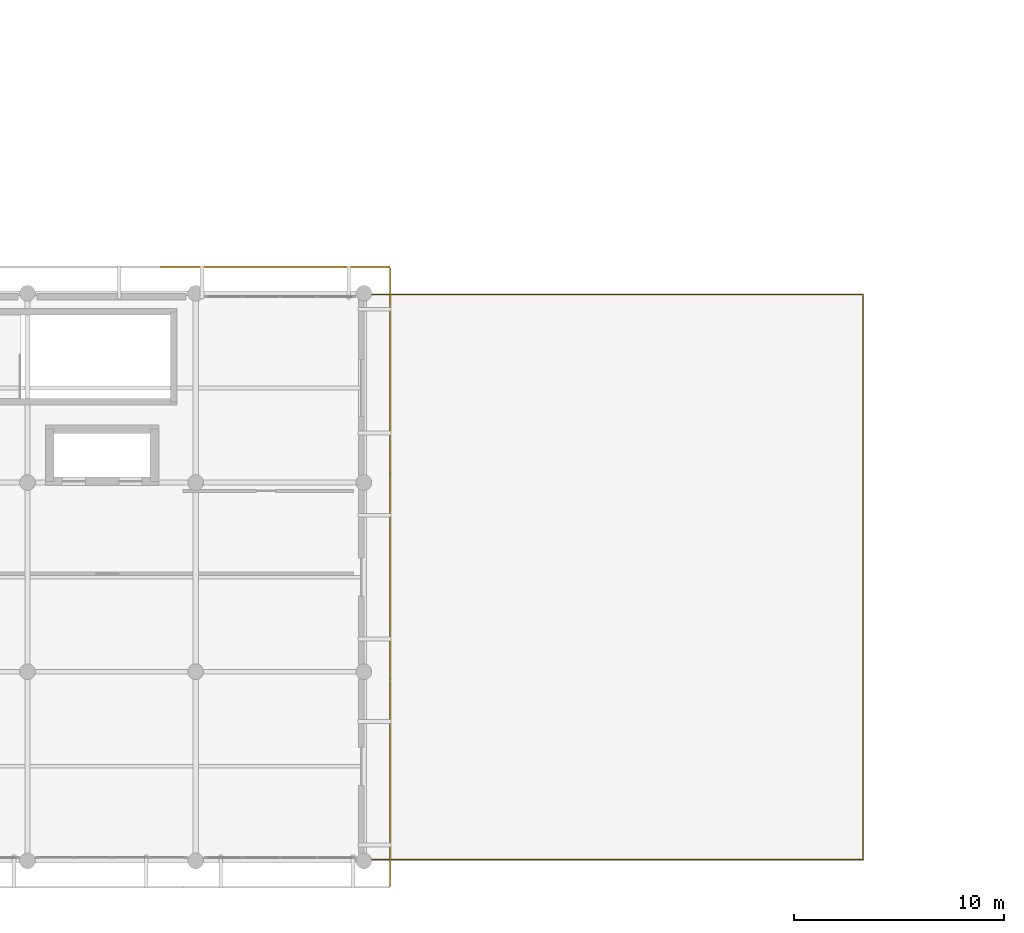
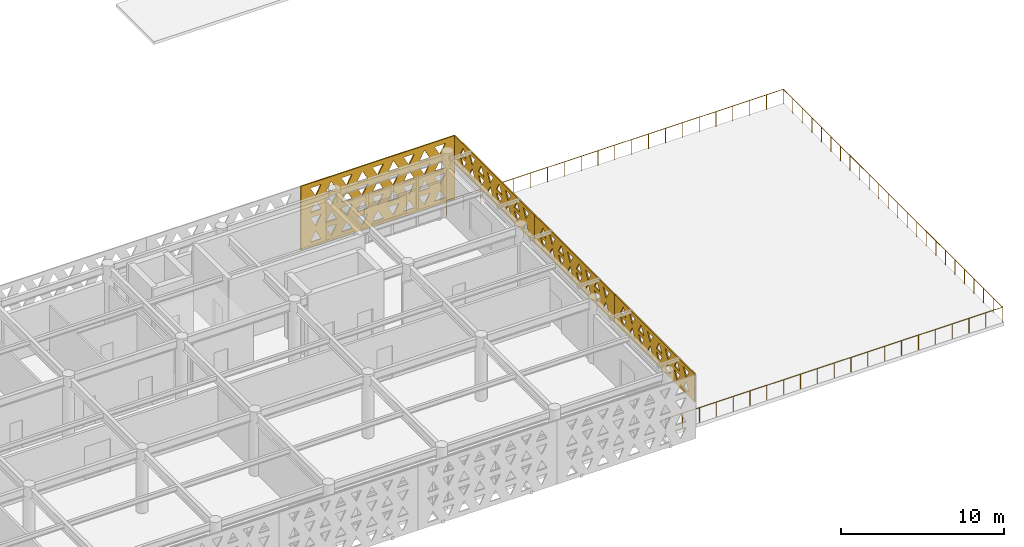
# One storey, part 26 of 26: 4 coverings, 1 railing.
"""IFC4 building model written with IfcOpenShell, lengths in metres."""

from ifc_helpers import new_model, si_unit, direction, frame, origin, origin_2d, place, context, subcontext, project, spatial, polyline, circle, outline, extrude, material, layer, layer_set, type_object, element, save


model = new_model("IFC4")

# Units and contexts
model_context = context("Model", 3, precision=1e-05, world=origin(), true_north=direction((0.0, 1.0)))
body_context = subcontext(model_context, "Body", "Model", "MODEL_VIEW")
ifc_project = project(units=[si_unit("LENGTHUNIT", "METRE"), si_unit("AREAUNIT", "SQUARE_METRE"), si_unit("VOLUMEUNIT", "CUBIC_METRE"), si_unit("PLANEANGLEUNIT", "RADIAN"), si_unit("MASSUNIT", "GRAM", prefix="KILO")], contexts=[model_context])

# Site, building, storey
site_placement = place(None, origin())
site = spatial("IfcSite", under=ifc_project, at=site_placement, CompositionType="ELEMENT")
building_placement = place(site_placement, origin())
building = spatial("IfcBuilding", under=site, at=building_placement, Name="Tlacozan Convention Centre", CompositionType="ELEMENT")
storey_placement = place(building_placement, frame((0.0, 0.0, 21.0)))
storey = spatial("IfcBuildingStorey", under=building, at=storey_placement, Name="L04", CompositionType="ELEMENT", Elevation=21.0)

# Railing
ifc_material_1 = material(Name="Architectural Painted Galvanised Steel Railing", Category="steel")
railing_type = type_object("IfcRailingType", Name="Terrace Perimeter Guardrail 1120", PredefinedType="GUARDRAIL", material=ifc_material_1)
railing_placement = place(storey_placement, frame((95.89990234375, 0.06005859375, 0.0)))
element("IfcRailing", 1, at=railing_placement, inside=storey, type_object=railing_type, Name="L04 Belvedere Terrace Perimeter Guardrail", PredefinedType="GUARDRAIL", context=body_context, shape_type="SweptSolid", body=[
    extrude(circle(Radius=0.02392578125, at=origin_2d()), frame((0.0, 0.0, 1.09619140625), z_axis=(1.0, 0.0, 0.0), x_axis=(0.0, 1.0, 0.0)), (0.0, 0.0, 1.0), 23.840087890625),
    extrude(circle(Radius=0.02392578125, at=origin_2d()), frame((23.840087890625, 0.0, 1.09619140625), z_axis=(0.0, 1.0, 0.0), x_axis=(-1.0, 0.0, 0.0)), (0.0, 0.0, 1.0), 26.8798828125),
    extrude(circle(Radius=0.02392578125, at=origin_2d()), frame((23.840087890625, 26.8798828125, 1.09619140625), z_axis=(-1.0, 0.0, 0.0), x_axis=(0.0, -1.0, 0.0)), (0.0, 0.0, 1.0), 23.840087890625),
    extrude(circle(Radius=0.02099609375, at=origin_2d()), origin(), (0.0, 0.0, 1.0), 1.072021484375),
    extrude(circle(Radius=0.02099609375, at=origin_2d()), frame((1.19189453125, 0.0, 0.0)), (0.0, 0.0, 1.0), 1.072021484375),
    extrude(circle(Radius=0.02099609375, at=origin_2d()), frame((2.384033203125, 0.0, 0.0)), (0.0, 0.0, 1.0), 1.072021484375),
    extrude(circle(Radius=0.02099609375, at=origin_2d()), frame((3.575927734375, 0.0, 0.0)), (0.0, 0.0, 1.0), 1.072021484375),
    extrude(circle(Radius=0.02099609375, at=origin_2d()), frame((4.76806640625, 0.0, 0.0)), (0.0, 0.0, 1.0), 1.072021484375),
    extrude(circle(Radius=0.02099609375, at=origin_2d()), frame((5.9599609375, 0.0, 0.0)), (0.0, 0.0, 1.0), 1.072021484375),
    extrude(circle(Radius=0.02099609375, at=origin_2d()), frame((7.152099609375, 0.0, 0.0)), (0.0, 0.0, 1.0), 1.072021484375),
    extrude(circle(Radius=0.02099609375, at=origin_2d()), frame((8.343994140625, 0.0, 0.0)), (0.0, 0.0, 1.0), 1.072021484375),
    extrude(circle(Radius=0.02099609375, at=origin_2d()), frame((9.5361328125, 0.0, 0.0)), (0.0, 0.0, 1.0), 1.072021484375),
    extrude(circle(Radius=0.02099609375, at=origin_2d()), frame((10.72802734375, 0.0, 0.0)), (0.0, 0.0, 1.0), 1.072021484375),
    extrude(circle(Radius=0.02099609375, at=origin_2d()), frame((11.919921875, 0.0, 0.0)), (0.0, 0.0, 1.0), 1.072021484375),
    extrude(circle(Radius=0.02099609375, at=origin_2d()), frame((13.112060546875, 0.0, 0.0)), (0.0, 0.0, 1.0), 1.072021484375),
    extrude(circle(Radius=0.02099609375, at=origin_2d()), frame((14.303955078125, 0.0, 0.0)), (0.0, 0.0, 1.0), 1.072021484375),
    extrude(circle(Radius=0.02099609375, at=origin_2d()), frame((15.49609375, 0.0, 0.0)), (0.0, 0.0, 1.0), 1.072021484375),
    extrude(circle(Radius=0.02099609375, at=origin_2d()), frame((16.68798828125, 0.0, 0.0)), (0.0, 0.0, 1.0), 1.072021484375),
    extrude(circle(Radius=0.02099609375, at=origin_2d()), frame((17.880126953125, 0.0, 0.0)), (0.0, 0.0, 1.0), 1.072021484375),
    extrude(circle(Radius=0.02099609375, at=origin_2d()), frame((19.072021484375, 0.0, 0.0)), (0.0, 0.0, 1.0), 1.072021484375),
    extrude(circle(Radius=0.02099609375, at=origin_2d()), frame((20.26416015625, 0.0, 0.0)), (0.0, 0.0, 1.0), 1.072021484375),
    extrude(circle(Radius=0.02099609375, at=origin_2d()), frame((21.4560546875, 0.0, 0.0)), (0.0, 0.0, 1.0), 1.072021484375),
    extrude(circle(Radius=0.02099609375, at=origin_2d()), frame((22.648193359375, 0.0, 0.0)), (0.0, 0.0, 1.0), 1.072021484375),
    extrude(circle(Radius=0.02099609375, at=origin_2d()), frame((23.840087890625, 0.0, 0.0)), (0.0, 0.0, 1.0), 1.072021484375),
    extrude(circle(Radius=0.02099609375, at=origin_2d()), frame((23.840087890625, 1.168701171875, 0.0)), (0.0, 0.0, 1.0), 1.072021484375),
    extrude(circle(Radius=0.02099609375, at=origin_2d()), frame((23.840087890625, 2.33740234375, 0.0)), (0.0, 0.0, 1.0), 1.072021484375),
    extrude(circle(Radius=0.02099609375, at=origin_2d()), frame((23.840087890625, 3.506103515625, 0.0)), (0.0, 0.0, 1.0), 1.072021484375),
    extrude(circle(Radius=0.02099609375, at=origin_2d()), frame((23.840087890625, 4.6748046875, 0.0)), (0.0, 0.0, 1.0), 1.072021484375),
    extrude(circle(Radius=0.02099609375, at=origin_2d()), frame((23.840087890625, 5.843505859375, 0.0)), (0.0, 0.0, 1.0), 1.072021484375),
    extrude(circle(Radius=0.02099609375, at=origin_2d()), frame((23.840087890625, 7.01220703125, 0.0)), (0.0, 0.0, 1.0), 1.072021484375),
    extrude(circle(Radius=0.02099609375, at=origin_2d()), frame((23.840087890625, 8.180908203125, 0.0)), (0.0, 0.0, 1.0), 1.072021484375),
    extrude(circle(Radius=0.02099609375, at=origin_2d()), frame((23.840087890625, 9.349609375, 0.0)), (0.0, 0.0, 1.0), 1.072021484375),
    extrude(circle(Radius=0.02099609375, at=origin_2d()), frame((23.840087890625, 10.518310546875, 0.0)), (0.0, 0.0, 1.0), 1.072021484375),
    extrude(circle(Radius=0.02099609375, at=origin_2d()), frame((23.840087890625, 11.68701171875, 0.0)), (0.0, 0.0, 1.0), 1.072021484375),
    extrude(circle(Radius=0.02099609375, at=origin_2d()), frame((23.840087890625, 12.855712890625, 0.0)), (0.0, 0.0, 1.0), 1.072021484375),
    extrude(circle(Radius=0.02099609375, at=origin_2d()), frame((23.840087890625, 14.024169921875, 0.0)), (0.0, 0.0, 1.0), 1.072021484375),
    extrude(circle(Radius=0.02099609375, at=origin_2d()), frame((23.840087890625, 15.19287109375, 0.0)), (0.0, 0.0, 1.0), 1.072021484375),
    extrude(circle(Radius=0.02099609375, at=origin_2d()), frame((23.840087890625, 16.361572265625, 0.0)), (0.0, 0.0, 1.0), 1.072021484375),
    extrude(circle(Radius=0.02099609375, at=origin_2d()), frame((23.840087890625, 17.5302734375, 0.0)), (0.0, 0.0, 1.0), 1.072021484375),
    extrude(circle(Radius=0.02099609375, at=origin_2d()), frame((23.840087890625, 18.698974609375, 0.0)), (0.0, 0.0, 1.0), 1.072021484375),
    extrude(circle(Radius=0.02099609375, at=origin_2d()), frame((23.840087890625, 19.86767578125, 0.0)), (0.0, 0.0, 1.0), 1.072021484375),
    extrude(circle(Radius=0.02099609375, at=origin_2d()), frame((23.840087890625, 21.036376953125, 0.0)), (0.0, 0.0, 1.0), 1.072021484375),
    extrude(circle(Radius=0.02099609375, at=origin_2d()), frame((23.840087890625, 22.205078125, 0.0)), (0.0, 0.0, 1.0), 1.072021484375),
    extrude(circle(Radius=0.02099609375, at=origin_2d()), frame((23.840087890625, 23.373779296875, 0.0)), (0.0, 0.0, 1.0), 1.072021484375),
    extrude(circle(Radius=0.02099609375, at=origin_2d()), frame((23.840087890625, 24.54248046875, 0.0)), (0.0, 0.0, 1.0), 1.072021484375),
    extrude(circle(Radius=0.02099609375, at=origin_2d()), frame((23.840087890625, 25.711181640625, 0.0)), (0.0, 0.0, 1.0), 1.072021484375),
    extrude(circle(Radius=0.02099609375, at=origin_2d()), frame((23.840087890625, 26.8798828125, 0.0)), (0.0, 0.0, 1.0), 1.072021484375),
    extrude(circle(Radius=0.02099609375, at=origin_2d()), frame((22.648193359375, 26.8798828125, 0.0)), (0.0, 0.0, 1.0), 1.072021484375),
    extrude(circle(Radius=0.02099609375, at=origin_2d()), frame((21.4560546875, 26.8798828125, 0.0)), (0.0, 0.0, 1.0), 1.072021484375),
    extrude(circle(Radius=0.02099609375, at=origin_2d()), frame((20.26416015625, 26.8798828125, 0.0)), (0.0, 0.0, 1.0), 1.072021484375),
    extrude(circle(Radius=0.02099609375, at=origin_2d()), frame((19.072021484375, 26.8798828125, 0.0)), (0.0, 0.0, 1.0), 1.072021484375),
    extrude(circle(Radius=0.02099609375, at=origin_2d()), frame((17.880126953125, 26.8798828125, 0.0)), (0.0, 0.0, 1.0), 1.072021484375),
    extrude(circle(Radius=0.02099609375, at=origin_2d()), frame((16.68798828125, 26.8798828125, 0.0)), (0.0, 0.0, 1.0), 1.072021484375),
    extrude(circle(Radius=0.02099609375, at=origin_2d()), frame((15.49609375, 26.8798828125, 0.0)), (0.0, 0.0, 1.0), 1.072021484375),
    extrude(circle(Radius=0.02099609375, at=origin_2d()), frame((14.303955078125, 26.8798828125, 0.0)), (0.0, 0.0, 1.0), 1.072021484375),
    extrude(circle(Radius=0.02099609375, at=origin_2d()), frame((13.112060546875, 26.8798828125, 0.0)), (0.0, 0.0, 1.0), 1.072021484375),
    extrude(circle(Radius=0.02099609375, at=origin_2d()), frame((11.919921875, 26.8798828125, 0.0)), (0.0, 0.0, 1.0), 1.072021484375),
    extrude(circle(Radius=0.02099609375, at=origin_2d()), frame((10.72802734375, 26.8798828125, 0.0)), (0.0, 0.0, 1.0), 1.072021484375),
    extrude(circle(Radius=0.02099609375, at=origin_2d()), frame((9.5361328125, 26.8798828125, 0.0)), (0.0, 0.0, 1.0), 1.072021484375),
    extrude(circle(Radius=0.02099609375, at=origin_2d()), frame((8.343994140625, 26.8798828125, 0.0)), (0.0, 0.0, 1.0), 1.072021484375),
    extrude(circle(Radius=0.02099609375, at=origin_2d()), frame((7.152099609375, 26.8798828125, 0.0)), (0.0, 0.0, 1.0), 1.072021484375),
    extrude(circle(Radius=0.02099609375, at=origin_2d()), frame((5.9599609375, 26.8798828125, 0.0)), (0.0, 0.0, 1.0), 1.072021484375),
    extrude(circle(Radius=0.02099609375, at=origin_2d()), frame((4.76806640625, 26.8798828125, 0.0)), (0.0, 0.0, 1.0), 1.072021484375),
    extrude(circle(Radius=0.02099609375, at=origin_2d()), frame((3.575927734375, 26.8798828125, 0.0)), (0.0, 0.0, 1.0), 1.072021484375),
    extrude(circle(Radius=0.02099609375, at=origin_2d()), frame((2.384033203125, 26.8798828125, 0.0)), (0.0, 0.0, 1.0), 1.072021484375),
    extrude(circle(Radius=0.02099609375, at=origin_2d()), frame((1.19189453125, 26.8798828125, 0.0)), (0.0, 0.0, 1.0), 1.072021484375),
    extrude(circle(Radius=0.02099609375, at=origin_2d()), frame((0.0, 26.8798828125, 0.0)), (0.0, 0.0, 1.0), 1.072021484375),
])

# Coverings
ifc_material_2 = material(Name="Toluca Fired Terracotta Masonry Solar Screen", Category="masonry")
ifc_layer = layer(ifc_material_2, 0.080078125)
ifc_layer_set = layer_set([ifc_layer], Name="Toluca Fired Terracotta Masonry Solar Screen")
covering_type = type_object("IfcCoveringType", Name="Terracotta Triangle Solar Screen 80", PredefinedType="USERDEFINED", material=ifc_layer_set)
covering_1_placement = place(storey_placement, frame((97.25, -1.205078125, 2.64990234375), z_axis=(0.0, 0.0, 1.0), x_axis=(0.0, 1.0, 0.0)))
element("IfcCovering", 2, at=covering_1_placement, inside=storey, type_object=covering_type, Name="L04 Terracotta Triangle Screen 90", ObjectType="SCREEN", PredefinedType="USERDEFINED", context=body_context, shape_type="SweptSolid", body=[
    extrude(outline(polyline([(0.0, 0.0), (9.80078125, 0.0), (9.80078125, 2.10009765625), (0.0, 2.10009765625), (0.0, 0.0)]), holes=[polyline([(0.70556640625, 0.28564453125), (1.395263671875, 0.28564453125), (1.05029296875, 0.92431640625), (0.70556640625, 0.28564453125)]), polyline([(1.805419921875, 0.92431640625), (2.495361328125, 0.92431640625), (2.150390625, 0.28564453125), (1.805419921875, 0.92431640625)]), polyline([(2.905517578125, 0.28564453125), (3.59521484375, 0.28564453125), (3.25048828125, 0.92431640625), (2.905517578125, 0.28564453125)]), polyline([(4.00537109375, 0.92431640625), (4.6953125, 0.92431640625), (4.350341796875, 0.28564453125), (4.00537109375, 0.92431640625)]), polyline([(5.10546875, 0.28564453125), (5.79541015625, 0.28564453125), (5.450439453125, 0.92431640625), (5.10546875, 0.28564453125)]), polyline([(6.20556640625, 0.92431640625), (6.895263671875, 0.92431640625), (6.55029296875, 0.28564453125), (6.20556640625, 0.92431640625)]), polyline([(7.305419921875, 0.28564453125), (7.995361328125, 0.28564453125), (7.650390625, 0.92431640625), (7.305419921875, 0.28564453125)]), polyline([(8.405517578125, 0.92431640625), (9.09521484375, 0.92431640625), (8.75048828125, 0.28564453125), (8.405517578125, 0.92431640625)]), polyline([(0.70556640625, 1.814453125), (1.395263671875, 1.814453125), (1.05029296875, 1.17578125), (0.70556640625, 1.814453125)]), polyline([(1.805419921875, 1.17578125), (2.495361328125, 1.17578125), (2.150390625, 1.814453125), (1.805419921875, 1.17578125)]), polyline([(2.905517578125, 1.814453125), (3.59521484375, 1.814453125), (3.25048828125, 1.17578125), (2.905517578125, 1.814453125)]), polyline([(4.00537109375, 1.17578125), (4.6953125, 1.17578125), (4.350341796875, 1.814453125), (4.00537109375, 1.17578125)]), polyline([(5.10546875, 1.814453125), (5.79541015625, 1.814453125), (5.450439453125, 1.17578125), (5.10546875, 1.814453125)]), polyline([(6.20556640625, 1.17578125), (6.895263671875, 1.17578125), (6.55029296875, 1.814453125), (6.20556640625, 1.17578125)]), polyline([(7.305419921875, 1.814453125), (7.995361328125, 1.814453125), (7.650390625, 1.17578125), (7.305419921875, 1.814453125)]), polyline([(8.405517578125, 1.17578125), (9.09521484375, 1.17578125), (8.75048828125, 1.814453125), (8.405517578125, 1.17578125)])]), frame((0.0, 0.0400390625, 0.0), z_axis=(0.0, -1.0, 0.0), x_axis=(1.0, 0.0, 0.0)), (0.0, 0.0, 1.0), 0.080078125),
])
covering_2_placement = place(storey_placement, frame((97.25, 8.599609375, 2.64990234375), z_axis=(0.0, 0.0, 1.0), x_axis=(0.0, 1.0, 0.0)))
element("IfcCovering", 3, at=covering_2_placement, inside=storey, type_object=covering_type, Name="L04 Terracotta Triangle Screen 91", ObjectType="SCREEN", PredefinedType="USERDEFINED", context=body_context, shape_type="SweptSolid", body=[
    extrude(outline(polyline([(0.0, 0.0), (9.80078125, 0.0), (9.80078125, 2.10009765625), (0.0, 2.10009765625), (0.0, 0.0)]), holes=[polyline([(0.70556640625, 0.28564453125), (1.395263671875, 0.28564453125), (1.05029296875, 0.92431640625), (0.70556640625, 0.28564453125)]), polyline([(1.805419921875, 0.92431640625), (2.495361328125, 0.92431640625), (2.150390625, 0.28564453125), (1.805419921875, 0.92431640625)]), polyline([(2.905517578125, 0.28564453125), (3.59521484375, 0.28564453125), (3.25048828125, 0.92431640625), (2.905517578125, 0.28564453125)]), polyline([(4.00537109375, 0.92431640625), (4.6953125, 0.92431640625), (4.350341796875, 0.28564453125), (4.00537109375, 0.92431640625)]), polyline([(5.10546875, 0.28564453125), (5.79541015625, 0.28564453125), (5.450439453125, 0.92431640625), (5.10546875, 0.28564453125)]), polyline([(6.20556640625, 0.92431640625), (6.895263671875, 0.92431640625), (6.55029296875, 0.28564453125), (6.20556640625, 0.92431640625)]), polyline([(7.305419921875, 0.28564453125), (7.995361328125, 0.28564453125), (7.650390625, 0.92431640625), (7.305419921875, 0.28564453125)]), polyline([(8.405517578125, 0.92431640625), (9.09521484375, 0.92431640625), (8.75048828125, 0.28564453125), (8.405517578125, 0.92431640625)]), polyline([(0.70556640625, 1.814453125), (1.395263671875, 1.814453125), (1.05029296875, 1.17578125), (0.70556640625, 1.814453125)]), polyline([(1.805419921875, 1.17578125), (2.495361328125, 1.17578125), (2.150390625, 1.814453125), (1.805419921875, 1.17578125)]), polyline([(2.905517578125, 1.814453125), (3.59521484375, 1.814453125), (3.25048828125, 1.17578125), (2.905517578125, 1.814453125)]), polyline([(4.00537109375, 1.17578125), (4.6953125, 1.17578125), (4.350341796875, 1.814453125), (4.00537109375, 1.17578125)]), polyline([(5.10546875, 1.814453125), (5.79541015625, 1.814453125), (5.450439453125, 1.17578125), (5.10546875, 1.814453125)]), polyline([(6.20556640625, 1.17578125), (6.895263671875, 1.17578125), (6.55029296875, 1.814453125), (6.20556640625, 1.17578125)]), polyline([(7.305419921875, 1.814453125), (7.995361328125, 1.814453125), (7.650390625, 1.17578125), (7.305419921875, 1.814453125)]), polyline([(8.405517578125, 1.17578125), (9.09521484375, 1.17578125), (8.75048828125, 1.814453125), (8.405517578125, 1.17578125)])]), frame((0.0, 0.0400390625, 0.0), z_axis=(0.0, -1.0, 0.0), x_axis=(1.0, 0.0, 0.0)), (0.0, 0.0, 1.0), 0.080078125),
])
covering_3_placement = place(storey_placement, frame((97.25, 18.404296875, 2.64990234375), z_axis=(0.0, 0.0, 1.0), x_axis=(0.0, 1.0, 0.0)))
element("IfcCovering", 4, at=covering_3_placement, inside=storey, type_object=covering_type, Name="L04 Terracotta Triangle Screen 92", ObjectType="SCREEN", PredefinedType="USERDEFINED", context=body_context, shape_type="SweptSolid", body=[
    extrude(outline(polyline([(0.0, 0.0), (9.80078125, 0.0), (9.80078125, 2.10009765625), (0.0, 2.10009765625), (0.0, 0.0)]), holes=[polyline([(0.70556640625, 0.28564453125), (1.395263671875, 0.28564453125), (1.05029296875, 0.92431640625), (0.70556640625, 0.28564453125)]), polyline([(1.805419921875, 0.92431640625), (2.495361328125, 0.92431640625), (2.150390625, 0.28564453125), (1.805419921875, 0.92431640625)]), polyline([(2.905517578125, 0.28564453125), (3.59521484375, 0.28564453125), (3.25048828125, 0.92431640625), (2.905517578125, 0.28564453125)]), polyline([(4.00537109375, 0.92431640625), (4.6953125, 0.92431640625), (4.350341796875, 0.28564453125), (4.00537109375, 0.92431640625)]), polyline([(5.10546875, 0.28564453125), (5.79541015625, 0.28564453125), (5.450439453125, 0.92431640625), (5.10546875, 0.28564453125)]), polyline([(6.20556640625, 0.92431640625), (6.895263671875, 0.92431640625), (6.55029296875, 0.28564453125), (6.20556640625, 0.92431640625)]), polyline([(7.305419921875, 0.28564453125), (7.995361328125, 0.28564453125), (7.650390625, 0.92431640625), (7.305419921875, 0.28564453125)]), polyline([(8.405517578125, 0.92431640625), (9.09521484375, 0.92431640625), (8.75048828125, 0.28564453125), (8.405517578125, 0.92431640625)]), polyline([(0.70556640625, 1.814453125), (1.395263671875, 1.814453125), (1.05029296875, 1.17578125), (0.70556640625, 1.814453125)]), polyline([(1.805419921875, 1.17578125), (2.495361328125, 1.17578125), (2.150390625, 1.814453125), (1.805419921875, 1.17578125)]), polyline([(2.905517578125, 1.814453125), (3.59521484375, 1.814453125), (3.25048828125, 1.17578125), (2.905517578125, 1.814453125)]), polyline([(4.00537109375, 1.17578125), (4.6953125, 1.17578125), (4.350341796875, 1.814453125), (4.00537109375, 1.17578125)]), polyline([(5.10546875, 1.814453125), (5.79541015625, 1.814453125), (5.450439453125, 1.17578125), (5.10546875, 1.814453125)]), polyline([(6.20556640625, 1.17578125), (6.895263671875, 1.17578125), (6.55029296875, 1.814453125), (6.20556640625, 1.17578125)]), polyline([(7.305419921875, 1.814453125), (7.995361328125, 1.814453125), (7.650390625, 1.17578125), (7.305419921875, 1.814453125)]), polyline([(8.405517578125, 1.17578125), (9.09521484375, 1.17578125), (8.75048828125, 1.814453125), (8.405517578125, 1.17578125)])]), frame((0.0, 0.0400390625, 0.0), z_axis=(0.0, -1.0, 0.0), x_axis=(1.0, 0.0, 0.0)), (0.0, 0.0, 1.0), 0.080078125),
])
covering_4_placement = place(storey_placement, frame((86.329833984375, 28.25, -0.030029296875), z_axis=(0.0, 0.0, 1.0), x_axis=(1.0, 0.0, 0.0)))
element("IfcCovering", 5, at=covering_4_placement, inside=storey, type_object=covering_type, Name="L04 Terracotta Triangle Screen 101", ObjectType="SCREEN", PredefinedType="USERDEFINED", context=body_context, shape_type="SweptSolid", body=[
    extrude(outline(polyline([(0.0, 0.0), (10.918212890625, 0.0), (10.918212890625, 4.780029296875), (0.0, 4.780029296875), (0.0, 0.0)]), holes=[polyline([(0.673095703125, 0.360107421875), (1.445068359375, 0.360107421875), (1.05908203125, 1.074951171875), (0.673095703125, 0.360107421875)]), polyline([(1.773193359375, 1.074951171875), (2.545166015625, 1.074951171875), (2.1591796875, 0.360107421875), (1.773193359375, 1.074951171875)]), polyline([(2.873046875, 0.360107421875), (3.64501953125, 0.360107421875), (3.259033203125, 1.074951171875), (2.873046875, 0.360107421875)]), polyline([(3.97314453125, 1.074951171875), (4.7451171875, 1.074951171875), (4.359130859375, 0.360107421875), (3.97314453125, 1.074951171875)]), polyline([(5.072998046875, 0.360107421875), (5.84521484375, 0.360107421875), (5.458984375, 1.074951171875), (5.072998046875, 0.360107421875)]), polyline([(6.173095703125, 1.074951171875), (6.945068359375, 1.074951171875), (6.55908203125, 0.360107421875), (6.173095703125, 1.074951171875)]), polyline([(7.273193359375, 0.360107421875), (8.045166015625, 0.360107421875), (7.6591796875, 1.074951171875), (7.273193359375, 0.360107421875)]), polyline([(8.373046875, 1.074951171875), (9.14501953125, 1.074951171875), (8.759033203125, 0.360107421875), (8.373046875, 1.074951171875)]), polyline([(9.47314453125, 0.360107421875), (10.2451171875, 0.360107421875), (9.859130859375, 1.074951171875), (9.47314453125, 0.360107421875)]), polyline([(0.673095703125, 2.18994140625), (1.445068359375, 2.18994140625), (1.05908203125, 1.47509765625), (0.673095703125, 2.18994140625)]), polyline([(1.773193359375, 1.47509765625), (2.545166015625, 1.47509765625), (2.1591796875, 2.18994140625), (1.773193359375, 1.47509765625)]), polyline([(2.873046875, 2.18994140625), (3.64501953125, 2.18994140625), (3.259033203125, 1.47509765625), (2.873046875, 2.18994140625)]), polyline([(3.97314453125, 1.47509765625), (4.7451171875, 1.47509765625), (4.359130859375, 2.18994140625), (3.97314453125, 1.47509765625)]), polyline([(5.072998046875, 2.18994140625), (5.84521484375, 2.18994140625), (5.458984375, 1.47509765625), (5.072998046875, 2.18994140625)]), polyline([(6.173095703125, 1.47509765625), (6.945068359375, 1.47509765625), (6.55908203125, 2.18994140625), (6.173095703125, 1.47509765625)]), polyline([(7.273193359375, 2.18994140625), (8.045166015625, 2.18994140625), (7.6591796875, 1.47509765625), (7.273193359375, 2.18994140625)]), polyline([(8.373046875, 1.47509765625), (9.14501953125, 1.47509765625), (8.759033203125, 2.18994140625), (8.373046875, 1.47509765625)]), polyline([(9.47314453125, 2.18994140625), (10.2451171875, 2.18994140625), (9.859130859375, 1.47509765625), (9.47314453125, 2.18994140625)]), polyline([(0.673095703125, 2.590087890625), (1.445068359375, 2.590087890625), (1.05908203125, 3.304931640625), (0.673095703125, 2.590087890625)]), polyline([(1.773193359375, 3.304931640625), (2.545166015625, 3.304931640625), (2.1591796875, 2.590087890625), (1.773193359375, 3.304931640625)]), polyline([(2.873046875, 2.590087890625), (3.64501953125, 2.590087890625), (3.259033203125, 3.304931640625), (2.873046875, 2.590087890625)]), polyline([(3.97314453125, 3.304931640625), (4.7451171875, 3.304931640625), (4.359130859375, 2.590087890625), (3.97314453125, 3.304931640625)]), polyline([(5.072998046875, 2.590087890625), (5.84521484375, 2.590087890625), (5.458984375, 3.304931640625), (5.072998046875, 2.590087890625)]), polyline([(6.173095703125, 3.304931640625), (6.945068359375, 3.304931640625), (6.55908203125, 2.590087890625), (6.173095703125, 3.304931640625)]), polyline([(7.273193359375, 2.590087890625), (8.045166015625, 2.590087890625), (7.6591796875, 3.304931640625), (7.273193359375, 2.590087890625)]), polyline([(8.373046875, 3.304931640625), (9.14501953125, 3.304931640625), (8.759033203125, 2.590087890625), (8.373046875, 3.304931640625)]), polyline([(9.47314453125, 2.590087890625), (10.2451171875, 2.590087890625), (9.859130859375, 3.304931640625), (9.47314453125, 2.590087890625)]), polyline([(0.673095703125, 4.419921875), (1.445068359375, 4.419921875), (1.05908203125, 3.705078125), (0.673095703125, 4.419921875)]), polyline([(1.773193359375, 3.705078125), (2.545166015625, 3.705078125), (2.1591796875, 4.419921875), (1.773193359375, 3.705078125)]), polyline([(2.873046875, 4.419921875), (3.64501953125, 4.419921875), (3.259033203125, 3.705078125), (2.873046875, 4.419921875)]), polyline([(3.97314453125, 3.705078125), (4.7451171875, 3.705078125), (4.359130859375, 4.419921875), (3.97314453125, 3.705078125)]), polyline([(5.072998046875, 4.419921875), (5.84521484375, 4.419921875), (5.458984375, 3.705078125), (5.072998046875, 4.419921875)]), polyline([(6.173095703125, 3.705078125), (6.945068359375, 3.705078125), (6.55908203125, 4.419921875), (6.173095703125, 3.705078125)]), polyline([(7.273193359375, 4.419921875), (8.045166015625, 4.419921875), (7.6591796875, 3.705078125), (7.273193359375, 4.419921875)]), polyline([(8.373046875, 3.705078125), (9.14501953125, 3.705078125), (8.759033203125, 4.419921875), (8.373046875, 3.705078125)]), polyline([(9.47314453125, 4.419921875), (10.2451171875, 4.419921875), (9.859130859375, 3.705078125), (9.47314453125, 4.419921875)])]), frame((0.0, 0.0400390625, 0.0), z_axis=(0.0, -1.0, 0.0), x_axis=(1.0, 0.0, 0.0)), (0.0, 0.0, 1.0), 0.080078125),
])

save(model, "model.ifc")
